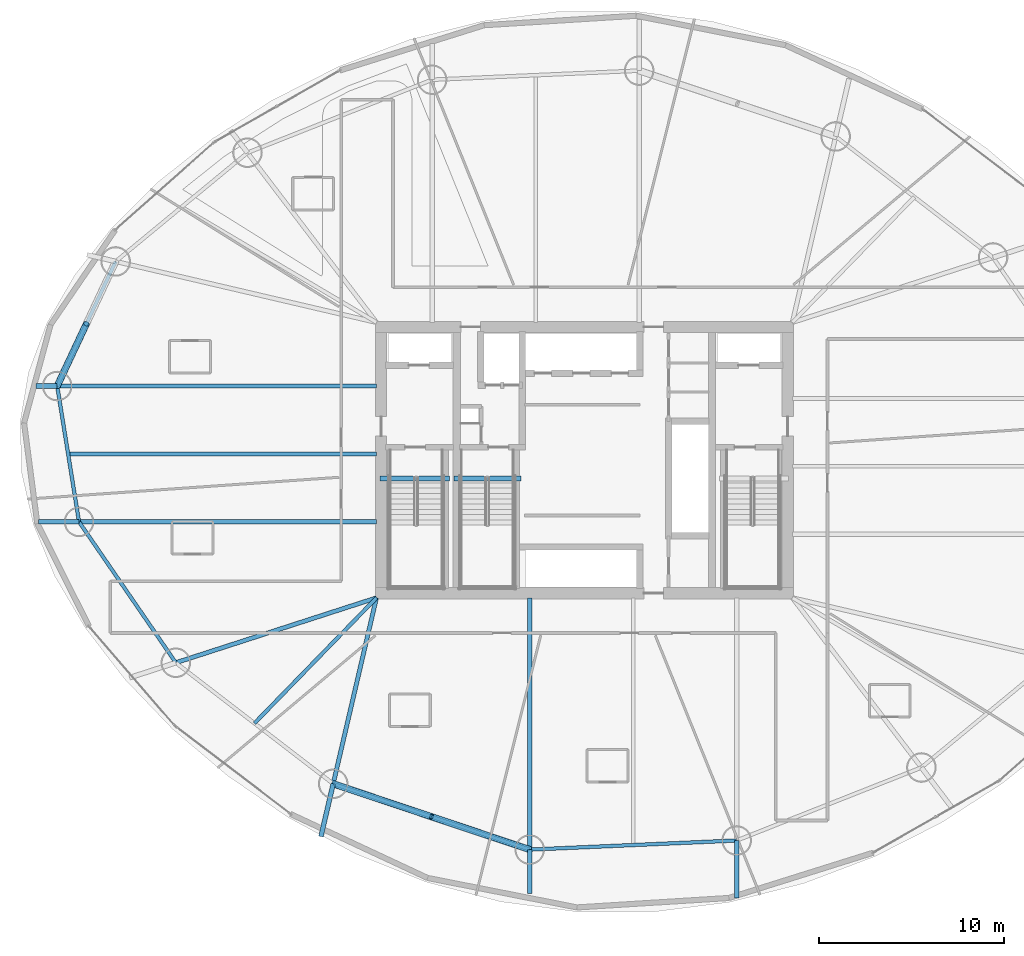
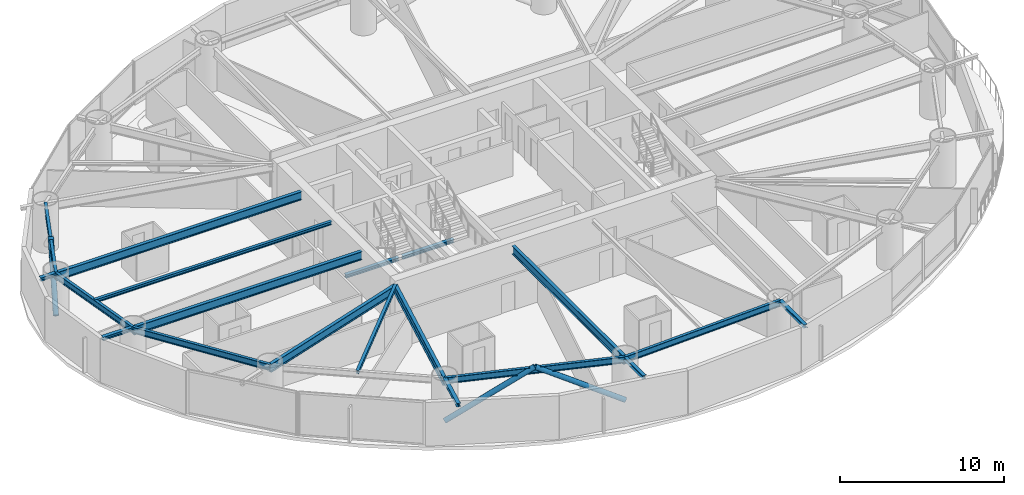
# One storey, part 3 of 26: 19 beams, 3 members.
"""IFC4 building model written with IfcOpenShell, lengths in metres."""

from ifc_helpers import new_model, si_unit, direction, frame, origin, origin_2d, place, context, subcontext, project, spatial, hollow_circle, i_section, extrude, material, material_profile, profile_set, type_object, element, save


model = new_model("IFC4")

# Units and contexts
model_context = context("Model", 3, precision=1e-05, world=origin(), true_north=direction((0.0, 1.0)))
body_context = subcontext(model_context, "Body", "Model", "MODEL_VIEW")
ifc_project = project(units=[si_unit("LENGTHUNIT", "METRE"), si_unit("AREAUNIT", "SQUARE_METRE"), si_unit("VOLUMEUNIT", "CUBIC_METRE"), si_unit("PLANEANGLEUNIT", "RADIAN"), si_unit("MASSUNIT", "GRAM", prefix="KILO")], contexts=[model_context])

# Site, building, storey
site_placement = place(None, origin())
site = spatial("IfcSite", under=ifc_project, at=site_placement, CompositionType="ELEMENT")
building_placement = place(site_placement, origin())
building = spatial("IfcBuilding", under=site, at=building_placement, Name="Bramvorn Convention Spire", CompositionType="ELEMENT")
storey_placement = place(building_placement, frame((0.0, 0.0, 51.89990234375)))
storey = spatial("IfcBuildingStorey", under=building, at=storey_placement, Name="L10", CompositionType="ELEMENT", Elevation=51.89990234375)

# Beams
ifc_material = material(Name="Steel CSA G40.21 Grade 350 (350W)", Category="steel")
ifc_material_profile_1 = material_profile(ifc_material, i_section(OverallWidth=0.201904296875, OverallDepth=0.2470703125, WebThickness=0.00732421875, FlangeThickness=0.010986328125, FilletRadius=0.011962890625, at=origin_2d()))
ifc_profile_set_1 = profile_set([ifc_material_profile_1], Name="Steel CSA G40.21 Grade 350 (350W) - W250X49")
beam_type_1 = type_object("IfcBeamType", Name="BM-W250X49", PredefinedType="JOIST", material=ifc_profile_set_1)
beam_1_placement = place(storey_placement, frame((26.75, 26.333984375, 3.126708984375), z_axis=(-1.0, 0.0, 0.0), x_axis=(0.0, -1.0, 0.0)))
element("IfcBeam", 1, at=beam_1_placement, inside=storey, type_object=beam_type_1, Name="L10 composite floor joist 09", PredefinedType="JOIST", context=body_context, shape_type="SweptSolid", body=[
    extrude(i_section(OverallWidth=0.201904296875, OverallDepth=0.2470703125, WebThickness=0.00732421875, FlangeThickness=0.010986328125, FilletRadius=0.011962890625, at=origin_2d()), origin(), (0.0, 0.0, 1.0), 16.67919921875),
])
beam_2_placement = place(storey_placement, frame((26.75, 18.550048828125, 3.126708984375), z_axis=(-0.697157225069, -0.716918268378, 0.0), x_axis=(0.716918268378, -0.697157225069, 0.0)))
element("IfcBeam", 2, at=beam_2_placement, inside=storey, type_object=beam_type_1, Name="L10 composite floor joist 11", PredefinedType="JOIST", context=body_context, shape_type="SweptSolid", body=[
    extrude(i_section(OverallWidth=0.201904296875, OverallDepth=0.2470703125, WebThickness=0.00732421875, FlangeThickness=0.010986328125, FilletRadius=0.011962890625, at=origin_2d()), origin(), (0.0, 0.0, 1.0), 9.463623046875),
])
ifc_material_profile_2 = material_profile(ifc_material, i_section(OverallWidth=0.25390625, OverallDepth=0.2529296875, WebThickness=0.008544921875, FlangeThickness=0.01416015625, FilletRadius=0.011962890625, at=origin_2d()))
ifc_profile_set_2 = profile_set([ifc_material_profile_2], Name="Steel CSA G40.21 Grade 350 (350W) - W250X73")
beam_type_2 = type_object("IfcBeamType", Name="BM-W250X73", PredefinedType="BEAM", material=ifc_profile_set_2)
beam_3_placement = place(storey_placement, frame((9.480224609375, 30.00830078125, 3.12353515625), z_axis=(-1.0, 0.0, 0.0), x_axis=(0.0, -1.0, 0.0)))
element("IfcBeam", 3, at=beam_3_placement, inside=storey, type_object=beam_type_2, Name="L10 slab-edge cantilever tip beam MC09", PredefinedType="BEAM", context=body_context, shape_type="SweptSolid", body=[
    extrude(i_section(OverallWidth=0.25390625, OverallDepth=0.2529296875, WebThickness=0.008544921875, FlangeThickness=0.01416015625, FilletRadius=0.011962890625, at=origin_2d()), origin(), (0.0, 0.0, 1.0), 1.13623046875),
])
beam_4_placement = place(storey_placement, frame((10.661376953125, 22.659912109375, 3.12353515625), z_axis=(-1.0, 0.0, 0.0), x_axis=(0.0, -1.0, 0.0)))
element("IfcBeam", 4, at=beam_4_placement, inside=storey, type_object=beam_type_2, Name="L10 slab-edge cantilever tip beam MC10", PredefinedType="BEAM", context=body_context, shape_type="SweptSolid", body=[
    extrude(i_section(OverallWidth=0.25390625, OverallDepth=0.2529296875, WebThickness=0.008544921875, FlangeThickness=0.01416015625, FilletRadius=0.011962890625, at=origin_2d()), origin(), (0.0, 0.0, 1.0), 2.183349609375),
])
beam_5_placement = place(storey_placement, frame((24.40966796875, 8.490966796875, 3.12353515625), z_axis=(-0.226557630847, -0.973997761756, 0.0), x_axis=(0.973997761756, -0.226557630847, 0.0)))
element("IfcBeam", 5, at=beam_5_placement, inside=storey, type_object=beam_type_2, Name="L10 slab-edge cantilever tip beam MC12", PredefinedType="BEAM", context=body_context, shape_type="SweptSolid", body=[
    extrude(i_section(OverallWidth=0.25390625, OverallDepth=0.2529296875, WebThickness=0.008544921875, FlangeThickness=0.01416015625, FilletRadius=0.011962890625, at=origin_2d()), origin(), (0.0, 0.0, 1.0), 2.928955078125),
])
beam_6_placement = place(storey_placement, frame((35.0390625, 4.93115234375, 3.12353515625), z_axis=(0.0, -1.0, 0.0), x_axis=(1.0, 0.0, 0.0)))
element("IfcBeam", 6, at=beam_6_placement, inside=storey, type_object=beam_type_2, Name="L10 slab-edge cantilever tip beam MC13", PredefinedType="BEAM", context=body_context, shape_type="SweptSolid", body=[
    extrude(i_section(OverallWidth=0.25390625, OverallDepth=0.2529296875, WebThickness=0.008544921875, FlangeThickness=0.01416015625, FilletRadius=0.011962890625, at=origin_2d()), origin(), (0.0, 0.0, 1.0), 2.373291015625),
])
beam_7_placement = place(storey_placement, frame((46.23779296875, 5.42333984375, 3.12353515625), z_axis=(0.0, -1.0, 0.0), x_axis=(1.0, 0.0, 0.0)))
element("IfcBeam", 7, at=beam_7_placement, inside=storey, type_object=beam_type_2, Name="L10 slab-edge cantilever tip beam MC14", PredefinedType="BEAM", context=body_context, shape_type="SweptSolid", body=[
    extrude(i_section(OverallWidth=0.25390625, OverallDepth=0.2529296875, WebThickness=0.008544921875, FlangeThickness=0.01416015625, FilletRadius=0.011962890625, at=origin_2d()), origin(), (0.0, 0.0, 1.0), 3.0986328125),
])
beam_8_placement = place(storey_placement, frame((26.949951171875, 25.010009765625, -0.12646484375), z_axis=(1.0, 0.0, 0.0), x_axis=(0.0, 1.0, 0.0)))
element("IfcBeam", 8, at=beam_8_placement, inside=storey, type_object=beam_type_2, Name="L10 ST1 stair arrival header beam", PredefinedType="BEAM", context=body_context, shape_type="SweptSolid", body=[
    extrude(i_section(OverallWidth=0.25390625, OverallDepth=0.2529296875, WebThickness=0.008544921875, FlangeThickness=0.01416015625, FilletRadius=0.011962890625, at=origin_2d()), origin(), (0.0, 0.0, 1.0), 3.739990234375),
])
beam_9_placement = place(storey_placement, frame((30.949951171875, 25.010009765625, -0.12646484375), z_axis=(1.0, 0.0, 0.0), x_axis=(0.0, 1.0, 0.0)))
element("IfcBeam", 9, at=beam_9_placement, inside=storey, type_object=beam_type_2, Name="L10 ST3 stair arrival header beam", PredefinedType="BEAM", context=body_context, shape_type="SweptSolid", body=[
    extrude(i_section(OverallWidth=0.25390625, OverallDepth=0.2529296875, WebThickness=0.008544921875, FlangeThickness=0.01416015625, FilletRadius=0.011962890625, at=origin_2d()), origin(), (0.0, 0.0, 1.0), 3.610107421875),
])
ifc_material_profile_3 = material_profile(ifc_material, i_section(OverallWidth=0.194091796875, OverallDepth=0.468994140625, WebThickness=0.0126953125, FlangeThickness=0.0205078125, FilletRadius=0.01806640625, at=origin_2d()))
ifc_profile_set_3 = profile_set([ifc_material_profile_3], Name="Steel CSA G40.21 Grade 350 (350W) - W460X106")
beam_type_3 = type_object("IfcBeamType", Name="BM-W460X106", PredefinedType="SPANDREL", material=ifc_profile_set_3)
for number, where, z_axis, x_axis, name in (
    (10, (12.64111328125, 36.746337890625, 3.015625), (-0.424701955478, -0.9053332254, 0.0), (0.9053332254, -0.424701955478, 0.0), "L10 mega-column ring beam 08"),
    (11, (9.480224609375, 30.00830078125, 3.015625), (0.158699222824, -0.987326975563, 0.0), (0.987326975563, 0.158699222824, 0.0), "L10 mega-column ring beam 09"),
):
    element("IfcBeam", number, at=place(storey_placement, frame(where, z_axis=z_axis, x_axis=x_axis)), inside=storey, type_object=beam_type_3, Name=name, PredefinedType="SPANDREL", context=body_context, shape_type="SweptSolid", body=[
        extrude(i_section(OverallWidth=0.194091796875, OverallDepth=0.468994140625, WebThickness=0.0126953125, FlangeThickness=0.0205078125, FilletRadius=0.01806640625, at=origin_2d()), origin(), (0.0, 0.0, 1.0), 7.442626953125),
    ])
beam_10_placement = place(storey_placement, frame((10.661376953125, 22.659912109375, 3.015625), z_axis=(0.566129730789, -0.824316157743, 0.0), x_axis=(0.824316157743, 0.566129730789, 0.0)))
element("IfcBeam", 12, at=beam_10_placement, inside=storey, type_object=beam_type_3, Name="L10 mega-column ring beam 10", PredefinedType="SPANDREL", context=body_context, shape_type="SweptSolid", body=[
    extrude(i_section(OverallWidth=0.194091796875, OverallDepth=0.468994140625, WebThickness=0.0126953125, FlangeThickness=0.0205078125, FilletRadius=0.01806640625, at=origin_2d()), origin(), (0.0, 0.0, 1.0), 9.244140625),
])
beam_11_placement = place(storey_placement, frame((24.40966796875, 8.490966796875, 3.015625), z_axis=(0.948235872727, -0.317566890078, 0.0), x_axis=(0.317566890078, 0.948235872727, 0.0)))
element("IfcBeam", 13, at=beam_11_placement, inside=storey, type_object=beam_type_3, Name="L10 mega-column ring beam 12", PredefinedType="SPANDREL", context=body_context, shape_type="SweptSolid", body=[
    extrude(i_section(OverallWidth=0.194091796875, OverallDepth=0.468994140625, WebThickness=0.0126953125, FlangeThickness=0.0205078125, FilletRadius=0.01806640625, at=origin_2d()), origin(), (0.0, 0.0, 1.0), 11.209716796875),
])
beam_12_placement = place(storey_placement, frame((35.0390625, 4.93115234375, 3.015625), z_axis=(0.999035582762, 0.043907907889, 0.0), x_axis=(-0.043907907889, 0.999035582762, 0.0)))
element("IfcBeam", 14, at=beam_12_placement, inside=storey, type_object=beam_type_3, Name="L10 mega-column ring beam 13", PredefinedType="SPANDREL", context=body_context, shape_type="SweptSolid", body=[
    extrude(i_section(OverallWidth=0.194091796875, OverallDepth=0.468994140625, WebThickness=0.0126953125, FlangeThickness=0.0205078125, FilletRadius=0.01806640625, at=origin_2d()), origin(), (0.0, 0.0, 1.0), 11.20947265625),
])
ifc_material_profile_4 = material_profile(ifc_material, i_section(OverallWidth=0.22998046875, OverallDepth=0.616943359375, WebThickness=0.01318359375, FlangeThickness=0.022216796875, FilletRadius=0.02001953125, at=origin_2d()))
ifc_profile_set_4 = profile_set([ifc_material_profile_4], Name="Steel CSA G40.21 Grade 350 (350W) - W610X140")
beam_type_4 = type_object("IfcBeamType", Name="BM-W610X140", PredefinedType="BEAM", material=ifc_profile_set_4)
beam_13_placement = place(storey_placement, frame((26.75, 30.00830078125, 2.941650390625), z_axis=(-1.0, 0.0, 0.0), x_axis=(0.0, -1.0, 0.0)))
element("IfcBeam", 15, at=beam_13_placement, inside=storey, type_object=beam_type_4, Name="L10 radial floor girder MC09", PredefinedType="BEAM", context=body_context, shape_type="SweptSolid", body=[
    extrude(i_section(OverallWidth=0.22998046875, OverallDepth=0.616943359375, WebThickness=0.01318359375, FlangeThickness=0.022216796875, FilletRadius=0.02001953125, at=origin_2d()), origin(), (0.0, 0.0, 1.0), 17.269775390625),
])
beam_14_placement = place(storey_placement, frame((26.75, 22.659912109375, 2.941650390625), z_axis=(-1.0, 0.0, 0.0), x_axis=(0.0, -1.0, 0.0)))
element("IfcBeam", 16, at=beam_14_placement, inside=storey, type_object=beam_type_4, Name="L10 radial floor girder MC10", PredefinedType="BEAM", context=body_context, shape_type="SweptSolid", body=[
    extrude(i_section(OverallWidth=0.22998046875, OverallDepth=0.616943359375, WebThickness=0.01318359375, FlangeThickness=0.022216796875, FilletRadius=0.02001953125, at=origin_2d()), origin(), (0.0, 0.0, 1.0), 16.088623046875),
])
beam_15_placement = place(storey_placement, frame((26.75, 18.550048828125, 2.941650390625), z_axis=(-0.951488933275, -0.307682969719, 0.0), x_axis=(0.307682969719, -0.951488933275, 0.0)))
element("IfcBeam", 17, at=beam_15_placement, inside=storey, type_object=beam_type_4, Name="L10 radial floor girder MC11", PredefinedType="BEAM", context=body_context, shape_type="SweptSolid", body=[
    extrude(i_section(OverallWidth=0.22998046875, OverallDepth=0.616943359375, WebThickness=0.01318359375, FlangeThickness=0.022216796875, FilletRadius=0.02001953125, at=origin_2d()), origin(), (0.0, 0.0, 1.0), 11.40869140625),
])
beam_16_placement = place(storey_placement, frame((26.75, 18.550048828125, 2.941650390625), z_axis=(-0.226606328522, -0.973986433106, 0.0), x_axis=(0.973986433106, -0.226606328522, 0.0)))
element("IfcBeam", 18, at=beam_16_placement, inside=storey, type_object=beam_type_4, Name="L10 radial floor girder MC12", PredefinedType="BEAM", context=body_context, shape_type="SweptSolid", body=[
    extrude(i_section(OverallWidth=0.22998046875, OverallDepth=0.616943359375, WebThickness=0.01318359375, FlangeThickness=0.022216796875, FilletRadius=0.02001953125, at=origin_2d()), origin(), (0.0, 0.0, 1.0), 10.32763671875),
])
beam_17_placement = place(storey_placement, frame((35.0390625, 18.550048828125, 2.941650390625), z_axis=(0.0, -1.0, 0.0), x_axis=(1.0, 0.0, 0.0)))
element("IfcBeam", 19, at=beam_17_placement, inside=storey, type_object=beam_type_4, Name="L10 radial floor girder MC13", PredefinedType="BEAM", context=body_context, shape_type="SweptSolid", body=[
    extrude(i_section(OverallWidth=0.22998046875, OverallDepth=0.616943359375, WebThickness=0.01318359375, FlangeThickness=0.022216796875, FilletRadius=0.02001953125, at=origin_2d()), origin(), (0.0, 0.0, 1.0), 13.618896484375),
])

# Members
ifc_material_profile_5 = material_profile(ifc_material, hollow_circle(Radius=0.177734375, WallThickness=0.015869140625, at=origin_2d()))
ifc_profile_set_5 = profile_set([ifc_material_profile_5], Name="Steel CSA G40.21 Grade 350 (350W) - CHS356X16")
member_type = type_object("IfcMemberType", Name="MBR-CHS356X16", PredefinedType="BRACE", material=ifc_profile_set_5)
member_placement = place(storey_placement, frame((9.480224609375, 30.00830078125, 0.0), z_axis=(0.319909760159, 0.681871297566, 0.657806414465), x_axis=(-0.905314694797, 0.424741454752, 0.0)))
element("IfcMember", 20, at=member_placement, inside=storey, type_object=member_type, Name="L10 perimeter Gothic lancet brace 8B", PredefinedType="BRACE", context=body_context, shape_type="SweptSolid", body=[
    extrude(hollow_circle(Radius=0.177734375, WallThickness=0.015869140625, at=origin_2d()), origin(), (0.0, 0.0, 1.0), 4.940673828125),
])
for number, where, z_axis, x_axis, name in (
    (21, (24.40966796875, 8.490966796875, 0.0), (0.820300118259, -0.274739683138, 0.501623187756), (0.31758647294, 0.948229314146, 0.0), "L10 perimeter Gothic lancet brace 12A"),
    (22, (35.0390625, 4.93115234375, 0.0), (-0.820308610169, 0.274704844877, 0.501628380659), (-0.31754730681, -0.948242430994, 0.0), "L10 perimeter Gothic lancet brace 12B"),
):
    element("IfcMember", number, at=place(storey_placement, frame(where, z_axis=z_axis, x_axis=x_axis)), inside=storey, type_object=member_type, Name=name, PredefinedType="BRACE", context=body_context, shape_type="SweptSolid", body=[
        extrude(hollow_circle(Radius=0.177734375, WallThickness=0.015869140625, at=origin_2d()), origin(), (0.0, 0.0, 1.0), 6.47900390625),
    ])

save(model, "model.ifc")
